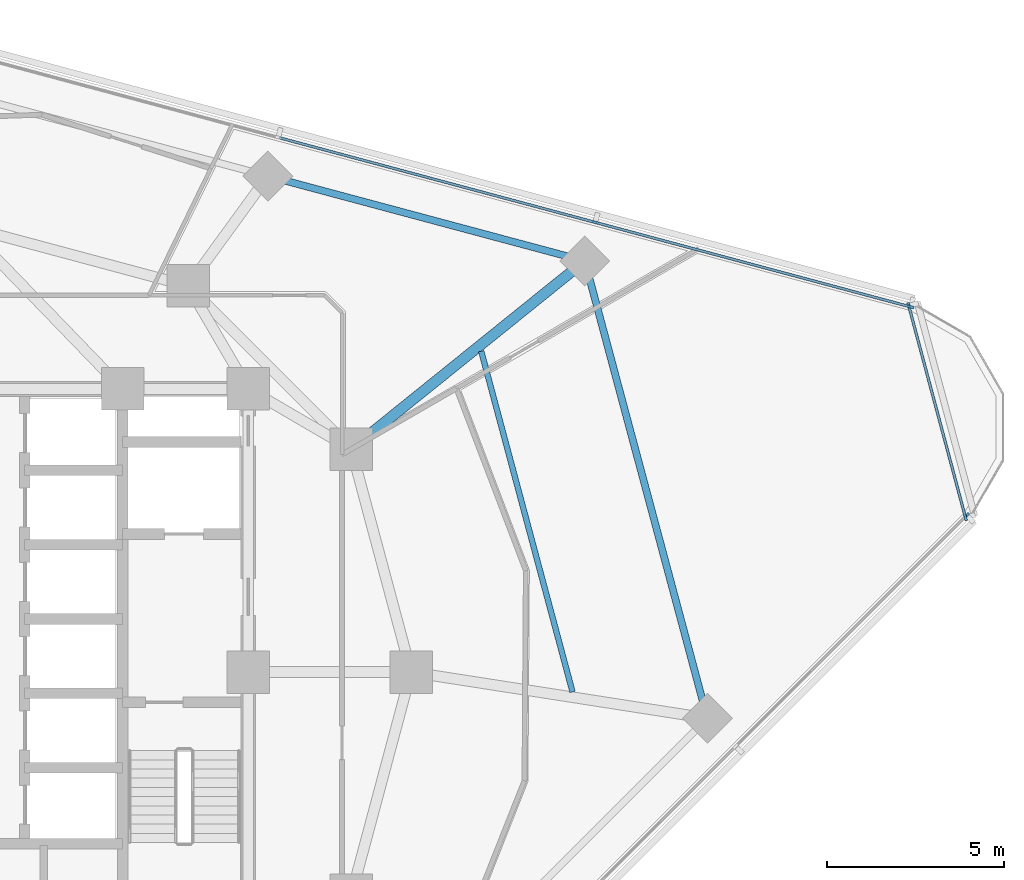
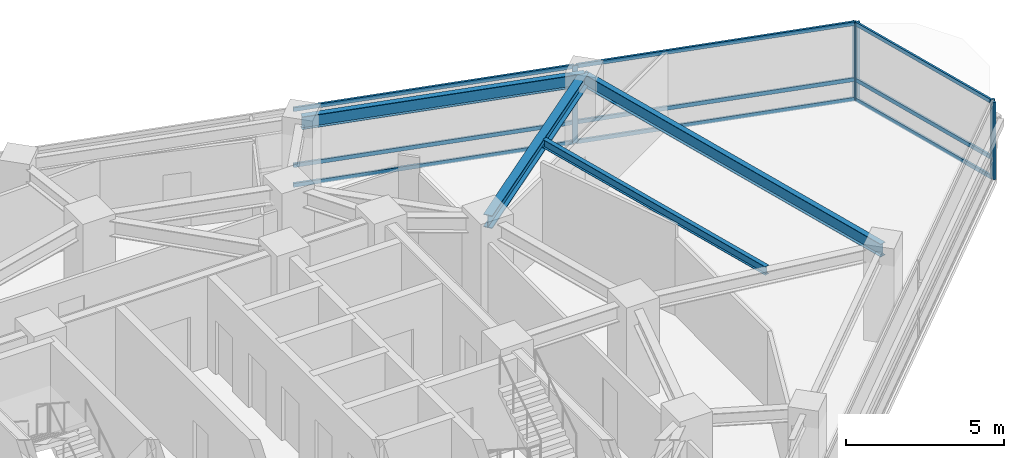
# One storey, part 5 of 14: 14 members, 4 beams, 3 elements without a shape of their own.
"""IFC4 building model written with IfcOpenShell, lengths in metres."""

from ifc_helpers import new_model, si_unit, direction, frame, origin, origin_2d, place, context, subcontext, project, spatial, rectangle, i_section, extrude, material, layer, layer_set, material_profile, profile_set, type_object, element, aggregate, save


model = new_model("IFC4")

# Units and contexts
model_context = context("Model", 3, precision=1e-05, world=origin(), true_north=direction((0.0, 1.0)))
body_context = subcontext(model_context, "Body", "Model", "MODEL_VIEW")
ifc_project = project(units=[si_unit("LENGTHUNIT", "METRE"), si_unit("AREAUNIT", "SQUARE_METRE"), si_unit("VOLUMEUNIT", "CUBIC_METRE"), si_unit("PLANEANGLEUNIT", "RADIAN"), si_unit("MASSUNIT", "GRAM", prefix="KILO")], contexts=[model_context])

# Site, building, storey
site_placement = place(None, origin())
site = spatial("IfcSite", under=ifc_project, at=site_placement, CompositionType="ELEMENT")
building_placement = place(site_placement, origin())
building = spatial("IfcBuilding", under=site, at=building_placement, Name="Terralouvre Media Tower", CompositionType="ELEMENT")
storey_placement = place(building_placement, frame((0.0, 0.0, 206.39990234375)))
storey = spatial("IfcBuildingStorey", under=building, at=storey_placement, Name="L53", CompositionType="ELEMENT", Elevation=206.39990234375)

# Beam
ifc_material_1 = material(Name="Structural steel S355J2", Category="steel")
ifc_material_profile_1 = material_profile(ifc_material_1, i_section(OverallWidth=0.159912109375, OverallDepth=0.330078125, WebThickness=0.007568359375, FlangeThickness=0.011474609375, at=origin_2d()), Name="IPE 330")
ifc_profile_set_1 = profile_set([ifc_material_profile_1], Name="Structural steel S355J2")
beam_type_1 = type_object("IfcBeamType", Name="Composite Floor Joist J-IPE330 (IPE 330)", PredefinedType="JOIST", material=ifc_profile_set_1)
beam_1_placement = place(storey_placement, frame((17.16357421875, -0.56103515625, 3.335205078125), z_axis=(-0.258827084055, 0.965923672222, 0.0), x_axis=(-0.965923672222, -0.258827084055, 0.0)))
element("IfcBeam", 1, at=beam_1_placement, inside=storey, type_object=beam_type_1, Name="L53 Framing Beam JT-L53-03", PredefinedType="JOIST", context=body_context, shape_type="SweptSolid", body=[
    extrude(i_section(OverallWidth=0.159912109375, OverallDepth=0.330078125, WebThickness=0.007568359375, FlangeThickness=0.011474609375, at=origin_2d()), origin(), (0.0, 0.0, 1.0), 9.96826171875),
])

# Curtain wall, members
ifc_material_2 = material(Name="Low-iron laminated double glazing with solar-control coating", Category="glass")
ifc_layer_1 = layer(ifc_material_2, 0.1650390625, Name="Production Studio Tower Curtain Wall CW-03")
ifc_layer_set_1 = layer_set([ifc_layer_1], Name="Low-iron laminated double glazing with solar-control coating")
curtain_wall_type_1 = type_object("IfcCurtainWallType", Name="Production Studio Tower Curtain Wall CW-03", PredefinedType="NOTDEFINED", material=ifc_layer_set_1)
curtain_wall_1_placement = place(storey_placement, origin())
curtain_wall_1 = element("IfcCurtainWall", 2, at=curtain_wall_1_placement, inside=storey, type_object=curtain_wall_type_1, Name="L53 Facade Curtain Wall F1", PredefinedType="NOTDEFINED")
ifc_material_3 = material(Name="Anodised extruded aluminium 6063-T6", Category="aluminium")
ifc_material_profile_2 = material_profile(ifc_material_3, rectangle(XDim=0.074951171875, YDim=0.14990234375, at=origin_2d()), Name="ALU 75x150")
ifc_profile_set_2 = profile_set([ifc_material_profile_2], Name="Anodised extruded aluminium 6063-T6")
member_type_1 = type_object("IfcMemberType", Name="Curtain-Wall Horizontal Transom TR-150", PredefinedType="USERDEFINED", material=ifc_profile_set_2)
member_1_placement = place(storey_placement, frame((26.687255859375, 10.32763671875, 0.03759765625), z_axis=(-0.965927230856, 0.25881380313, 0.0), x_axis=(-0.25881380313, -0.965927230856, 0.0)))
member_1 = element("IfcMember", 3, at=member_1_placement, type_object=member_type_1, Name="CW-03 transom 1.1", ObjectType="TRANSOM", PredefinedType="USERDEFINED", context=body_context, shape_type="SweptSolid", body=[
    extrude(rectangle(XDim=0.074951171875, YDim=0.14990234375, at=origin_2d()), origin(), (0.0, 0.0, 1.0), 9.159423828125),
])
member_2_placement = place(storey_placement, frame((26.687255859375, 10.32763671875, 0.800048828125), z_axis=(-0.965927230856, 0.25881380313, 0.0), x_axis=(-0.25881380313, -0.965927230856, 0.0)))
member_2 = element("IfcMember", 4, at=member_2_placement, type_object=member_type_1, Name="CW-03 transom 1.2", ObjectType="TRANSOM", PredefinedType="USERDEFINED", context=body_context, shape_type="SweptSolid", body=[
    extrude(rectangle(XDim=0.074951171875, YDim=0.14990234375, at=origin_2d()), origin(), (0.0, 0.0, 1.0), 9.159423828125),
])
member_3_placement = place(storey_placement, frame((26.687255859375, 10.32763671875, 2.962646484375), z_axis=(-0.965927230856, 0.25881380313, 0.0), x_axis=(-0.25881380313, -0.965927230856, 0.0)))
member_3 = element("IfcMember", 5, at=member_3_placement, type_object=member_type_1, Name="CW-03 transom 1.3", ObjectType="TRANSOM", PredefinedType="USERDEFINED", context=body_context, shape_type="SweptSolid", body=[
    extrude(rectangle(XDim=0.074951171875, YDim=0.14990234375, at=origin_2d()), origin(), (0.0, 0.0, 1.0), 9.159423828125),
])
member_4_placement = place(storey_placement, frame((17.767578125, 12.7177734375, 0.03759765625), z_axis=(-0.965926723605, 0.25881569625, 0.0), x_axis=(-0.25881569625, -0.965926723605, 0.0)))
member_4 = element("IfcMember", 6, at=member_4_placement, type_object=member_type_1, Name="CW-03 transom 2.1", ObjectType="TRANSOM", PredefinedType="USERDEFINED", context=body_context, shape_type="SweptSolid", body=[
    extrude(rectangle(XDim=0.074951171875, YDim=0.14990234375, at=origin_2d()), origin(), (0.0, 0.0, 1.0), 9.197265625),
])
member_5_placement = place(storey_placement, frame((17.767578125, 12.7177734375, 0.800048828125), z_axis=(-0.965926723605, 0.25881569625, 0.0), x_axis=(-0.25881569625, -0.965926723605, 0.0)))
member_5 = element("IfcMember", 7, at=member_5_placement, type_object=member_type_1, Name="CW-03 transom 2.2", ObjectType="TRANSOM", PredefinedType="USERDEFINED", context=body_context, shape_type="SweptSolid", body=[
    extrude(rectangle(XDim=0.074951171875, YDim=0.14990234375, at=origin_2d()), origin(), (0.0, 0.0, 1.0), 9.197265625),
])
member_6_placement = place(storey_placement, frame((17.767578125, 12.7177734375, 2.962646484375), z_axis=(-0.965926723605, 0.25881569625, 0.0), x_axis=(-0.25881569625, -0.965926723605, 0.0)))
member_6 = element("IfcMember", 8, at=member_6_placement, type_object=member_type_1, Name="CW-03 transom 2.3", ObjectType="TRANSOM", PredefinedType="USERDEFINED", context=body_context, shape_type="SweptSolid", body=[
    extrude(rectangle(XDim=0.074951171875, YDim=0.14990234375, at=origin_2d()), origin(), (0.0, 0.0, 1.0), 9.197265625),
])

ifc_material_4 = material(Name="Low-iron laminated double glazing with solar-control coating", Category="glass")
ifc_layer_2 = layer(ifc_material_4, 0.1650390625, Name="Rounded Wind-Corner Curved Glazing CW-04")
ifc_layer_set_2 = layer_set([ifc_layer_2], Name="Low-iron laminated double glazing with solar-control coating")
curtain_wall_type_2 = type_object("IfcCurtainWallType", Name="Rounded Wind-Corner Curved Glazing CW-04", PredefinedType="NOTDEFINED", material=ifc_layer_set_2)
curtain_wall_2_placement = place(storey_placement, origin())
curtain_wall_2 = element("IfcCurtainWall", 9, at=curtain_wall_2_placement, inside=storey, type_object=curtain_wall_type_2, Name="L53 Rounded Wind-Corner Curtain Wall C1", PredefinedType="NOTDEFINED")
member_7_placement = place(storey_placement, frame((28.259033203125, 4.404052734375, 0.03759765625), z_axis=(-0.25882448687, 0.965924368155, 0.0), x_axis=(-0.965924368155, -0.25882448687, 0.0)))
member_7 = element("IfcMember", 10, at=member_7_placement, type_object=member_type_1, Name="CW-04 transom 1.1", ObjectType="TRANSOM", PredefinedType="USERDEFINED", context=body_context, shape_type="SweptSolid", body=[
    extrude(rectangle(XDim=0.074951171875, YDim=0.14990234375, at=origin_2d()), origin(), (0.0, 0.0, 1.0), 6.119873046875),
])
member_8_placement = place(storey_placement, frame((28.259033203125, 4.404052734375, 0.800048828125), z_axis=(-0.25882448687, 0.965924368155, 0.0), x_axis=(-0.965924368155, -0.25882448687, 0.0)))
member_8 = element("IfcMember", 11, at=member_8_placement, type_object=member_type_1, Name="CW-04 transom 1.2", ObjectType="TRANSOM", PredefinedType="USERDEFINED", context=body_context, shape_type="SweptSolid", body=[
    extrude(rectangle(XDim=0.074951171875, YDim=0.14990234375, at=origin_2d()), origin(), (0.0, 0.0, 1.0), 6.119873046875),
])
member_9_placement = place(storey_placement, frame((28.259033203125, 4.404052734375, 2.962646484375), z_axis=(-0.25882448687, 0.965924368155, 0.0), x_axis=(-0.965924368155, -0.25882448687, 0.0)))
member_9 = element("IfcMember", 12, at=member_9_placement, type_object=member_type_1, Name="CW-04 transom 1.3", ObjectType="TRANSOM", PredefinedType="USERDEFINED", context=body_context, shape_type="SweptSolid", body=[
    extrude(rectangle(XDim=0.074951171875, YDim=0.14990234375, at=origin_2d()), origin(), (0.0, 0.0, 1.0), 6.119873046875),
])

# Curtain wall, member
curtain_wall_3_placement = place(storey_placement, origin())
curtain_wall_3 = element("IfcCurtainWall", 13, at=curtain_wall_3_placement, inside=storey, type_object=curtain_wall_type_1, Name="L53 Facade Curtain Wall F0", PredefinedType="NOTDEFINED")
ifc_material_5 = material(Name="Anodised extruded aluminium 6063-T6", Category="aluminium")
ifc_material_profile_3 = material_profile(ifc_material_5, rectangle(XDim=0.074951171875, YDim=0.179931640625, at=origin_2d()), Name="ALU 75x180")
ifc_profile_set_3 = profile_set([ifc_material_profile_3], Name="Anodised extruded aluminium 6063-T6")
member_type_2 = type_object("IfcMemberType", Name="Curtain-Wall Vertical Mullion ML-180", PredefinedType="MULLION", material=ifc_profile_set_3)
member_10_placement = place(storey_placement, frame((28.30224609375, 4.42626953125, 0.0), z_axis=(0.0, 0.0, 1.0), x_axis=(-0.707106781187, 0.707106781187, 0.0)))
member_10 = element("IfcMember", 14, at=member_10_placement, type_object=member_type_2, Name="CW-03 mullion 6", PredefinedType="MULLION", context=body_context, shape_type="SweptSolid", body=[
    extrude(rectangle(XDim=0.074951171875, YDim=0.179931640625, at=origin_2d()), origin(), (0.0, 0.0, 1.0), 3.0),
])
aggregate(curtain_wall_3, [member_10])

# Member
member_11_placement = place(storey_placement, frame((26.7236328125, 10.31787109375, 0.0), z_axis=(0.0, 0.0, 1.0), x_axis=(-0.25881903342, -0.96592582942, 0.0)))
member_11 = element("IfcMember", 15, at=member_11_placement, type_object=member_type_2, Name="CW-03 mullion 1", PredefinedType="MULLION", context=body_context, shape_type="SweptSolid", body=[
    extrude(rectangle(XDim=0.074951171875, YDim=0.179931640625, at=origin_2d()), origin(), (0.0, 0.0, 1.0), 3.0),
])

member_12_placement = place(storey_placement, frame((17.8037109375, 12.7080078125, 0.0), z_axis=(0.0, 0.0, 1.0), x_axis=(-0.25881903342, -0.96592582942, 0.0)))
member_12 = element("IfcMember", 16, at=member_12_placement, type_object=member_type_2, Name="CW-03 mullion 2", PredefinedType="MULLION", context=body_context, shape_type="SweptSolid", body=[
    extrude(rectangle(XDim=0.074951171875, YDim=0.179931640625, at=origin_2d()), origin(), (0.0, 0.0, 1.0), 3.0),
])

aggregate(curtain_wall_1, [member_11, member_12, member_1, member_2, member_3, member_4, member_5, member_6])

member_13_placement = place(storey_placement, frame((28.268798828125, 4.367919921875, 0.0), z_axis=(0.0, 0.0, 1.0), x_axis=(-0.965925911218, -0.258818728144, 0.0)))
member_13 = element("IfcMember", 17, at=member_13_placement, type_object=member_type_2, Name="CW-04 mullion 1", PredefinedType="MULLION", context=body_context, shape_type="SweptSolid", body=[
    extrude(rectangle(XDim=0.074951171875, YDim=0.179931640625, at=origin_2d()), origin(), (0.0, 0.0, 1.0), 3.0),
])

member_14_placement = place(storey_placement, frame((26.665283203125, 10.351806640625, 0.0), z_axis=(0.0, 0.0, 1.0), x_axis=(-0.965925911218, -0.258818728144, 0.0)))
member_14 = element("IfcMember", 18, at=member_14_placement, type_object=member_type_2, Name="CW-04 mullion 2", PredefinedType="MULLION", context=body_context, shape_type="SweptSolid", body=[
    extrude(rectangle(XDim=0.074951171875, YDim=0.179931640625, at=origin_2d()), origin(), (0.0, 0.0, 1.0), 3.0),
])

aggregate(curtain_wall_2, [member_13, member_14, member_7, member_8, member_9])

# Beams
ifc_material_6 = material(Name="Structural steel S355J2", Category="steel")
ifc_material_profile_4 = material_profile(ifc_material_6, i_section(OverallWidth=0.199951171875, OverallDepth=0.5, WebThickness=0.01025390625, FlangeThickness=0.01611328125, at=origin_2d()), Name="IPE 500")
ifc_profile_set_4 = profile_set([ifc_material_profile_4], Name="Structural steel S355J2")
beam_type_2 = type_object("IfcBeamType", Name="Perimeter Spandrel Beam SPB-500 (IPE 500)", PredefinedType="SPANDREL", material=ifc_profile_set_4)
beam_2_placement = place(storey_placement, frame((20.973388671875, -1.3046875, 3.25), z_axis=(-0.258815451972, 0.965926789058, 0.0), x_axis=(-0.965926789058, -0.258815451972, 0.0)))
element("IfcBeam", 19, at=beam_2_placement, inside=storey, type_object=beam_type_2, Name="L53 Framing Beam BM-L53-PR06", PredefinedType="SPANDREL", context=body_context, shape_type="SweptSolid", body=[
    extrude(i_section(OverallWidth=0.199951171875, OverallDepth=0.5, WebThickness=0.01025390625, FlangeThickness=0.01611328125, at=origin_2d()), origin(), (0.0, 0.0, 1.0), 13.376953125),
])
beam_3_placement = place(storey_placement, frame((17.51123046875, 11.616455078125, 3.25), z_axis=(-0.965922193685, 0.258832601786, 0.0), x_axis=(-0.258832601786, -0.965922193685, 0.0)))
element("IfcBeam", 20, at=beam_3_placement, inside=storey, type_object=beam_type_2, Name="L53 Framing Beam BM-L53-PR07", PredefinedType="SPANDREL", context=body_context, shape_type="SweptSolid", body=[
    extrude(i_section(OverallWidth=0.199951171875, OverallDepth=0.5, WebThickness=0.01025390625, FlangeThickness=0.01611328125, at=origin_2d()), origin(), (0.0, 0.0, 1.0), 9.27197265625),
])
ifc_material_7 = material(Name="Structural steel S355J2", Category="steel")
ifc_material_profile_5 = material_profile(ifc_material_7, i_section(OverallWidth=0.300048828125, OverallDepth=0.5, WebThickness=0.014404296875, FlangeThickness=0.028076171875, at=origin_2d()), Name="HEB 500")
ifc_profile_set_5 = profile_set([ifc_material_profile_5], Name="Structural steel S355J2")
beam_type_3 = type_object("IfcBeamType", Name="Primary Floor Girder B-HEB500 (HEB 500)", PredefinedType="BEAM", material=ifc_profile_set_5)
beam_4_placement = place(storey_placement, frame((10.911865234375, 6.300048828125, 3.25), z_axis=(0.778739443649, 0.62734749454, 0.0), x_axis=(-0.62734749454, 0.778739443649, 0.0)))
element("IfcBeam", 21, at=beam_4_placement, inside=storey, type_object=beam_type_3, Name="L53 Framing Beam BM-L53-RD07", PredefinedType="BEAM", context=body_context, shape_type="SweptSolid", body=[
    extrude(i_section(OverallWidth=0.300048828125, OverallDepth=0.5, WebThickness=0.014404296875, FlangeThickness=0.028076171875, at=origin_2d()), origin(), (0.0, 0.0, 1.0), 8.474365234375),
])

save(model, "model.ifc")
